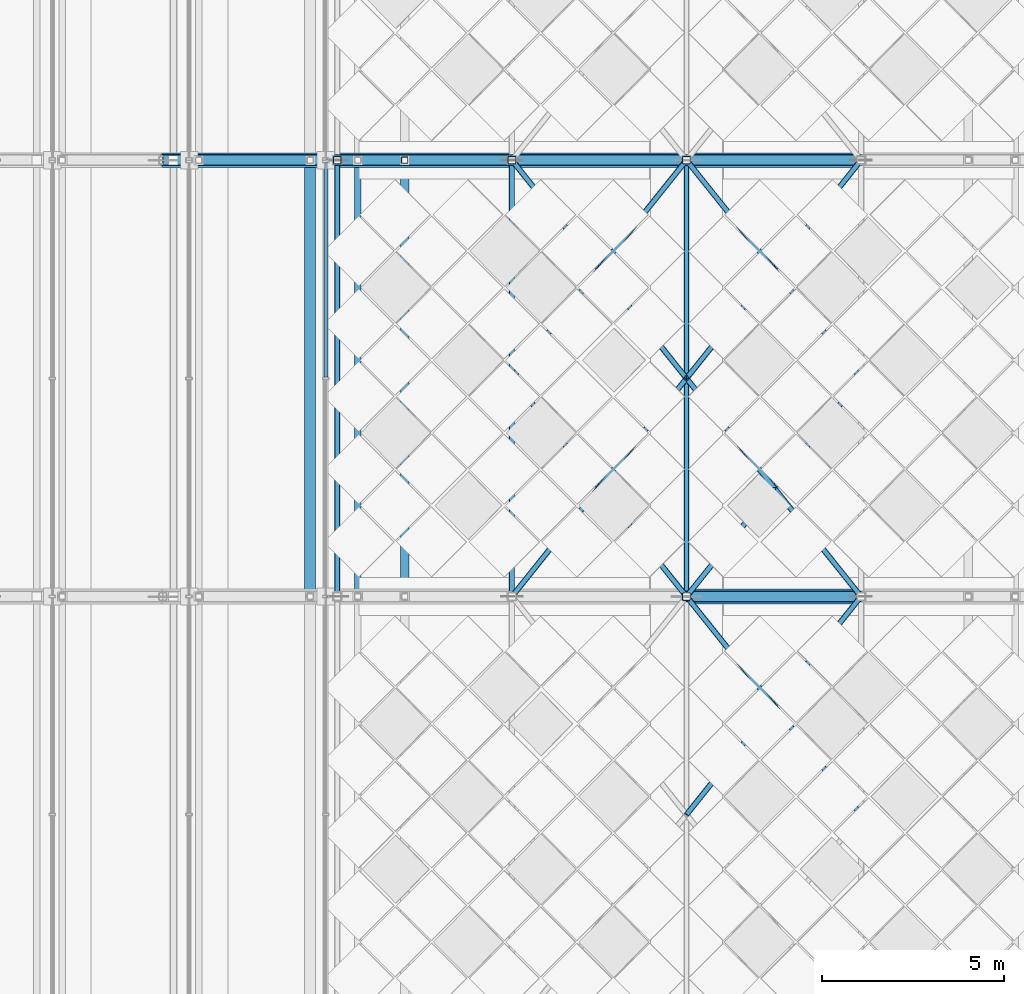
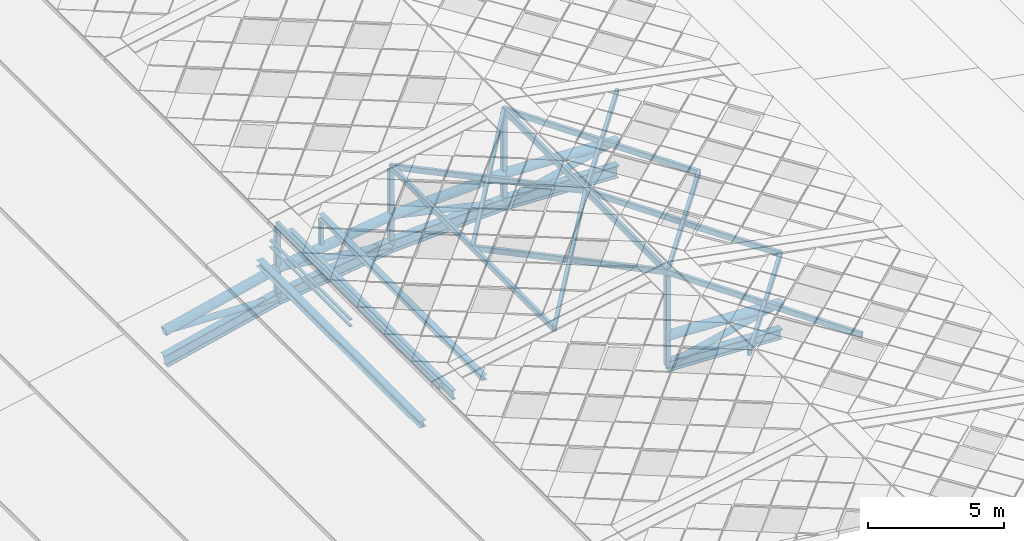
# One storey, part 17 of 117: 38 members, 1 element without a shape of its own.
"""IFC4 building model written with IfcOpenShell, lengths in metres."""

from ifc_helpers import new_model, si_unit, direction, frame, origin, origin_2d, place, context, subcontext, project, spatial, hollow_rectangle, hollow_circle, i_section, extrude, material, material_profile, profile_set, type_object, element, aggregate, save


model = new_model("IFC4")

# Units and contexts
model_context = context("Model", 3, precision=1e-05, world=origin(), true_north=direction((0.0, 1.0)))
body_context = subcontext(model_context, "Body", "Model", "MODEL_VIEW")
ifc_project = project(units=[si_unit("LENGTHUNIT", "METRE"), si_unit("AREAUNIT", "SQUARE_METRE"), si_unit("VOLUMEUNIT", "CUBIC_METRE"), si_unit("PLANEANGLEUNIT", "RADIAN"), si_unit("MASSUNIT", "GRAM", prefix="KILO")], contexts=[model_context])

# Site, building, storey
site_placement = place(None, origin())
site = spatial("IfcSite", under=ifc_project, at=site_placement, CompositionType="ELEMENT")
building_placement = place(site_placement, origin())
building = spatial("IfcBuilding", under=site, at=building_placement, Name="Merenkruunu Market Hall", CompositionType="ELEMENT")
storey_placement = place(building_placement, frame((0.0, 0.0, 22.800048828125)))
storey = spatial("IfcBuildingStorey", under=building, at=storey_placement, Name="RF", CompositionType="ELEMENT", Elevation=22.800048828125)

# Members
ifc_material_1 = material(Name="Steel S355ML", Category="steel")
ifc_material_profile_1 = material_profile(ifc_material_1, hollow_circle(Radius=0.203125, WallThickness=0.01611328125, at=origin_2d()), Name="CHS 406.4x16")
ifc_profile_set_1 = profile_set([ifc_material_profile_1], Name="Steel S355ML")
member_type_1 = type_object("IfcMemberType", Name="Arch Truss Chord TC02", PredefinedType="CHORD", material=ifc_profile_set_1)
member_1_placement = place(storey_placement, frame((28.800048828125, 51.60009765625, -1.446044921875), z_axis=(0.998932934692, 0.0, -0.046184326211), x_axis=(0.0, 1.0, 0.0)))
element("IfcMember", 1, at=member_1_placement, inside=storey, type_object=member_type_1, Name="TRUSS-AT-4-TOP-07", PredefinedType="CHORD", context=body_context, shape_type="SweptSolid", body=[
    extrude(hollow_circle(Radius=0.203125, WallThickness=0.01611328125, at=origin_2d()), origin(), (0.0, 0.0, 1.0), 4.80517578125),
])
member_2_placement = place(storey_placement, frame((14.39990234375, 63.60009765625, -3.47998046875), z_axis=(0.972941974064, 0.0, 0.231049594471), x_axis=(0.0, 1.0, 0.0)))
element("IfcMember", 2, at=member_2_placement, inside=storey, type_object=member_type_1, Name="TRUSS-AT-5-TOP-04", PredefinedType="CHORD", context=body_context, shape_type="SweptSolid", body=[
    extrude(hollow_circle(Radius=0.203125, WallThickness=0.01611328125, at=origin_2d()), origin(), (0.0, 0.0, 1.0), 4.93359375),
])
member_3_placement = place(storey_placement, frame((19.199951171875, 63.60009765625, -2.340087890625), z_axis=(0.990338564897, 0.0, 0.138670569613), x_axis=(0.0, 1.0, 0.0)))
element("IfcMember", 3, at=member_3_placement, inside=storey, type_object=member_type_1, Name="TRUSS-AT-5-TOP-05", PredefinedType="CHORD", context=body_context, shape_type="SweptSolid", body=[
    extrude(hollow_circle(Radius=0.203125, WallThickness=0.01611328125, at=origin_2d()), origin(), (0.0, 0.0, 1.0), 4.846923828125),
])
for number, where, z_axis, x_axis, name in (
    (4, (24.0, 63.60009765625, -1.66796875), (0.998932934692, 0.0, 0.046184326211), (0.0, 1.0, 0.0), "TRUSS-AT-5-TOP-06"),
    (5, (28.800048828125, 63.60009765625, -1.446044921875), (0.998932934692, 0.0, -0.046184326211), (0.0, 1.0, 0.0), "TRUSS-AT-5-TOP-07"),
):
    element("IfcMember", number, at=place(storey_placement, frame(where, z_axis=z_axis, x_axis=x_axis)), inside=storey, type_object=member_type_1, Name=name, PredefinedType="CHORD", context=body_context, shape_type="SweptSolid", body=[
        extrude(hollow_circle(Radius=0.203125, WallThickness=0.01611328125, at=origin_2d()), origin(), (0.0, 0.0, 1.0), 4.80517578125),
    ])
ifc_material_profile_2 = material_profile(ifc_material_1, i_section(OverallWidth=0.300048828125, OverallDepth=0.550048828125, WebThickness=0.014892578125, FlangeThickness=0.029052734375, FilletRadius=0.027099609375, at=origin_2d()), Name="HEB 550")
ifc_profile_set_2 = profile_set([ifc_material_profile_2], Name="Steel S355ML")
member_type_2 = type_object("IfcMemberType", Name="Arch Truss Chord TC03", PredefinedType="CHORD", material=ifc_profile_set_2)
member_4_placement = place(storey_placement, frame((14.39990234375, 63.60009765625, -4.780029296875), z_axis=(0.972941974064, 0.0, 0.231049594471), x_axis=(0.0, 1.0, 0.0)))
element("IfcMember", 6, at=member_4_placement, inside=storey, type_object=member_type_2, Name="TRUSS-AT-5-BOT-04", PredefinedType="CHORD", context=body_context, shape_type="SweptSolid", body=[
    extrude(i_section(OverallWidth=0.300048828125, OverallDepth=0.550048828125, WebThickness=0.014892578125, FlangeThickness=0.029052734375, FilletRadius=0.027099609375, at=origin_2d()), origin(), (0.0, 0.0, 1.0), 4.93359375),
])
member_5_placement = place(storey_placement, frame((19.199951171875, 63.60009765625, -3.64013671875), z_axis=(0.990338564897, 0.0, 0.138670569613), x_axis=(0.0, 1.0, 0.0)))
element("IfcMember", 7, at=member_5_placement, inside=storey, type_object=member_type_2, Name="TRUSS-AT-5-BOT-05", PredefinedType="CHORD", context=body_context, shape_type="SweptSolid", body=[
    extrude(i_section(OverallWidth=0.300048828125, OverallDepth=0.550048828125, WebThickness=0.014892578125, FlangeThickness=0.029052734375, FilletRadius=0.027099609375, at=origin_2d()), origin(), (0.0, 0.0, 1.0), 4.846923828125),
])
for number, where, z_axis, x_axis, name in (
    (8, (24.0, 63.60009765625, -2.968017578125), (0.998932934692, 0.0, 0.046184326211), (0.0, 1.0, 0.0), "TRUSS-AT-5-BOT-06"),
    (9, (28.800048828125, 63.60009765625, -2.74609375), (0.998932934692, 0.0, -0.046184326211), (0.0, 1.0, 0.0), "TRUSS-AT-5-BOT-07"),
):
    element("IfcMember", number, at=place(storey_placement, frame(where, z_axis=z_axis, x_axis=x_axis)), inside=storey, type_object=member_type_2, Name=name, PredefinedType="CHORD", context=body_context, shape_type="SweptSolid", body=[
        extrude(i_section(OverallWidth=0.300048828125, OverallDepth=0.550048828125, WebThickness=0.014892578125, FlangeThickness=0.029052734375, FilletRadius=0.027099609375, at=origin_2d()), origin(), (0.0, 0.0, 1.0), 4.80517578125),
    ])
ifc_material_profile_3 = material_profile(ifc_material_1, i_section(OverallWidth=0.300048828125, OverallDepth=0.449951171875, WebThickness=0.013916015625, FlangeThickness=0.02587890625, FilletRadius=0.027099609375, at=origin_2d()), Name="HEB 450")
ifc_profile_set_3 = profile_set([ifc_material_profile_3], Name="Steel S355ML")
member_type_3 = type_object("IfcMemberType", Name="Arch Truss Chord TC04", PredefinedType="CHORD", material=ifc_profile_set_3)
member_6_placement = place(storey_placement, frame((28.800048828125, 51.60009765625, -2.74609375), z_axis=(0.998932934692, 0.0, -0.046184326211), x_axis=(0.0, 1.0, 0.0)))
element("IfcMember", 10, at=member_6_placement, inside=storey, type_object=member_type_3, Name="TRUSS-AT-4-BOT-07", PredefinedType="CHORD", context=body_context, shape_type="SweptSolid", body=[
    extrude(i_section(OverallWidth=0.300048828125, OverallDepth=0.449951171875, WebThickness=0.013916015625, FlangeThickness=0.02587890625, FilletRadius=0.027099609375, at=origin_2d()), origin(), (0.0, 0.0, 1.0), 4.80517578125),
])

# Curtain wall, members
ifc_material_2 = material(Name="Powder-coated aluminium", Category="aluminium")
curtain_wall_type = type_object("IfcCurtainWallType", Name="Clerestory Curtain Band CL05", PredefinedType="USERDEFINED", material=ifc_material_2)
curtain_wall_placement = place(storey_placement, origin())
curtain_wall = element("IfcCurtainWall", 11, at=curtain_wall_placement, inside=storey, type_object=curtain_wall_type, Name="CW-RF-CWM04-115", ObjectType="CLERESTORY_BAND", PredefinedType="USERDEFINED")
ifc_material_profile_4 = material_profile(ifc_material_2, hollow_rectangle(XDim=0.06005859375, YDim=0.110107421875, WallThickness=0.00390625, at=origin_2d()), Name="ALU 60x110x4")
ifc_profile_set_4 = profile_set([ifc_material_profile_4], Name="Powder-coated aluminium")
member_type_4 = type_object("IfcMemberType", Name="Curtain Wall Transom CWT03", PredefinedType="USERDEFINED", material=ifc_profile_set_4)
member_7_placement = place(storey_placement, frame((18.8798828125, 57.635009765625, -1.212158203125), z_axis=(0.0, 1.0, 0.0), x_axis=(0.0, 0.0, 1.0)))
member_7 = element("IfcMember", 12, at=member_7_placement, type_object=member_type_4, Name="CL05 transom 4.1", ObjectType="TRANSOM", PredefinedType="USERDEFINED", context=body_context, shape_type="SweptSolid", body=[
    extrude(hollow_rectangle(XDim=0.06005859375, YDim=0.110107421875, WallThickness=0.00390625, at=origin_2d()), origin(), (0.0, 0.0, 1.0), 5.89501953125),
])
member_8_placement = place(storey_placement, frame((18.8798828125, 57.635009765625, -0.924072265625), z_axis=(0.0, 1.0, 0.0), x_axis=(0.0, 0.0, 1.0)))
member_8 = element("IfcMember", 13, at=member_8_placement, type_object=member_type_4, Name="CL05 transom 4.2", ObjectType="TRANSOM", PredefinedType="USERDEFINED", context=body_context, shape_type="SweptSolid", body=[
    extrude(hollow_rectangle(XDim=0.06005859375, YDim=0.110107421875, WallThickness=0.00390625, at=origin_2d()), origin(), (0.0, 0.0, 1.0), 5.89501953125),
])
aggregate(curtain_wall, [member_7, member_8])

# Members
ifc_material_profile_5 = material_profile(ifc_material_1, hollow_circle(Radius=0.136474609375, WallThickness=0.012451171875, at=origin_2d()), Name="CHS 273x12.5")
ifc_profile_set_5 = profile_set([ifc_material_profile_5], Name="Steel S355ML")
member_type_5 = type_object("IfcMemberType", Name="Diagonal Sway Brace BR02", PredefinedType="BRACE", material=ifc_profile_set_5)
member_9_placement = place(storey_placement, frame((28.800048828125, 51.60009765625, -2.74609375), z_axis=(0.975691787326, 0.0, 0.219147293262), x_axis=(0.0, 1.0, 0.0)))
element("IfcMember", 14, at=member_9_placement, inside=storey, type_object=member_type_5, Name="TRUSS-AT-4-DIAG-07", PredefinedType="BRACE", context=body_context, shape_type="SweptSolid", body=[
    extrude(hollow_circle(Radius=0.136474609375, WallThickness=0.012451171875, at=origin_2d()), origin(), (0.0, 0.0, 1.0), 4.919677734375),
])
member_10_placement = place(storey_placement, frame((14.39990234375, 63.60009765625, -3.47998046875), z_axis=(0.999443834494, 0.0, -0.033346989239), x_axis=(0.0, 1.0, 0.0)))
element("IfcMember", 15, at=member_10_placement, inside=storey, type_object=member_type_5, Name="TRUSS-AT-5-DIAG-04", PredefinedType="BRACE", context=body_context, shape_type="SweptSolid", body=[
    extrude(hollow_circle(Radius=0.136474609375, WallThickness=0.012451171875, at=origin_2d()), origin(), (0.0, 0.0, 1.0), 4.802734375),
])
member_11_placement = place(storey_placement, frame((19.199951171875, 63.60009765625, -2.340087890625), z_axis=(0.991551689691, 0.0, -0.129712168551), x_axis=(0.0, 1.0, 0.0)))
element("IfcMember", 16, at=member_11_placement, inside=storey, type_object=member_type_5, Name="TRUSS-AT-5-DIAG-05", PredefinedType="BRACE", context=body_context, shape_type="SweptSolid", body=[
    extrude(hollow_circle(Radius=0.136474609375, WallThickness=0.012451171875, at=origin_2d()), origin(), (0.0, 0.0, 1.0), 4.841064453125),
])
for number, where, z_axis, x_axis, name in (
    (17, (24.0, 63.60009765625, -1.66796875), (0.975691787326, 0.0, -0.219147293262), (0.0, 1.0, 0.0), "TRUSS-AT-5-DIAG-06"),
    (18, (28.800048828125, 63.60009765625, -2.74609375), (0.975691787326, 0.0, 0.219147293262), (0.0, 1.0, 0.0), "TRUSS-AT-5-DIAG-07"),
):
    element("IfcMember", number, at=place(storey_placement, frame(where, z_axis=z_axis, x_axis=x_axis)), inside=storey, type_object=member_type_5, Name=name, PredefinedType="BRACE", context=body_context, shape_type="SweptSolid", body=[
        extrude(hollow_circle(Radius=0.136474609375, WallThickness=0.012451171875, at=origin_2d()), origin(), (0.0, 0.0, 1.0), 4.919677734375),
    ])
ifc_material_3 = material(Name="Steel S355J2", Category="steel")
ifc_material_profile_6 = material_profile(ifc_material_3, hollow_rectangle(XDim=0.219970703125, YDim=0.219970703125, WallThickness=0.012451171875, InnerFilletRadius=0.012451171875, OuterFilletRadius=0.02490234375, at=origin_2d()), Name="SHS 220x220x12.5")
ifc_profile_set_6 = profile_set([ifc_material_profile_6], Name="Steel S355J2")
member_type_6 = type_object("IfcMemberType", Name="Diagonal Sway Brace BR04", PredefinedType="BRACE", material=ifc_profile_set_6)
member_12_placement = place(storey_placement, frame((28.800048828125, 51.60009765625, -2.74609375), z_axis=(0.0, 0.0, 1.0), x_axis=(1.0, 0.0, 0.0)))
element("IfcMember", 19, at=member_12_placement, inside=storey, type_object=member_type_6, Name="TRUSS-AT-4-POST-06", PredefinedType="BRACE", context=body_context, shape_type="SweptSolid", body=[
    extrude(hollow_rectangle(XDim=0.219970703125, YDim=0.219970703125, WallThickness=0.012451171875, InnerFilletRadius=0.012451171875, OuterFilletRadius=0.02490234375, at=origin_2d()), origin(), (0.0, 0.0, 1.0), 4.00244140625),
])
member_13_placement = place(storey_placement, frame((19.199951171875, 63.60009765625, -3.64013671875), z_axis=(0.0, 0.0, 1.0), x_axis=(1.0, 0.0, 0.0)))
element("IfcMember", 20, at=member_13_placement, inside=storey, type_object=member_type_6, Name="TRUSS-AT-5-POST-04", PredefinedType="BRACE", context=body_context, shape_type="SweptSolid", body=[
    extrude(hollow_rectangle(XDim=0.219970703125, YDim=0.219970703125, WallThickness=0.012451171875, InnerFilletRadius=0.012451171875, OuterFilletRadius=0.02490234375, at=origin_2d()), origin(), (0.0, 0.0, 1.0), 3.1416015625),
])
member_14_placement = place(storey_placement, frame((24.0, 63.60009765625, -2.968017578125), z_axis=(0.0, 0.0, 1.0), x_axis=(1.0, 0.0, 0.0)))
element("IfcMember", 21, at=member_14_placement, inside=storey, type_object=member_type_6, Name="TRUSS-AT-5-POST-05", PredefinedType="BRACE", context=body_context, shape_type="SweptSolid", body=[
    extrude(hollow_rectangle(XDim=0.219970703125, YDim=0.219970703125, WallThickness=0.012451171875, InnerFilletRadius=0.012451171875, OuterFilletRadius=0.02490234375, at=origin_2d()), origin(), (0.0, 0.0, 1.0), 3.3720703125),
])
member_15_placement = place(storey_placement, frame((28.800048828125, 63.60009765625, -2.74609375), z_axis=(0.0, 0.0, 1.0), x_axis=(1.0, 0.0, 0.0)))
element("IfcMember", 22, at=member_15_placement, inside=storey, type_object=member_type_6, Name="TRUSS-AT-5-POST-06", PredefinedType="BRACE", context=body_context, shape_type="SweptSolid", body=[
    extrude(hollow_rectangle(XDim=0.219970703125, YDim=0.219970703125, WallThickness=0.012451171875, InnerFilletRadius=0.012451171875, OuterFilletRadius=0.02490234375, at=origin_2d()), origin(), (0.0, 0.0, 1.0), 4.00244140625),
])
ifc_material_profile_7 = material_profile(ifc_material_3, hollow_rectangle(XDim=0.179931640625, YDim=0.179931640625, WallThickness=0.010009765625, InnerFilletRadius=0.010009765625, OuterFilletRadius=0.02001953125, at=origin_2d()), Name="SHS 180x180x10")
ifc_profile_set_7 = profile_set([ifc_material_profile_7], Name="Steel S355J2")
member_type_7 = type_object("IfcMemberType", Name="Diagonal Sway Brace BR05", PredefinedType="BRACE", material=ifc_profile_set_7)
member_16_placement = place(storey_placement, frame((21.050048828125, 63.60009765625, -1.889892578125), z_axis=(0.0, 0.0, 1.0), x_axis=(1.0, 0.0, 0.0)))
element("IfcMember", 23, at=member_16_placement, inside=storey, type_object=member_type_7, Name="TRUSS-AT-5-RISER-W6-2", PredefinedType="BRACE", context=body_context, shape_type="SweptSolid", body=[
    extrude(hollow_rectangle(XDim=0.179931640625, YDim=0.179931640625, WallThickness=0.010009765625, InnerFilletRadius=0.010009765625, OuterFilletRadius=0.02001953125, at=origin_2d()), origin(), (0.0, 0.0, 1.0), 1.12841796875),
])
ifc_material_profile_8 = material_profile(ifc_material_1, hollow_rectangle(XDim=0.14990234375, YDim=0.25, WallThickness=0.010009765625, InnerFilletRadius=0.010009765625, OuterFilletRadius=0.02001953125, at=origin_2d()), Name="RHS 250x150x10")
ifc_profile_set_8 = profile_set([ifc_material_profile_8], Name="Steel S355ML")
member_type_8 = type_object("IfcMemberType", Name="Roof Purlin Rafter PR04", PredefinedType="PURLIN", material=ifc_profile_set_8)
for number, where, z_axis, x_axis, name in (
    (24, (33.60009765625, 45.60009765625, 0.546875), (-0.620665210201, 0.775823620665, 0.11345662812), (-0.780865709579, -0.624698922365, 0.0), "MEM-CROWN-DIAG-038"),
    (25, (28.800048828125, 45.60009765625, 1.42431640625), (0.620665210201, 0.775823620665, -0.11345662812), (-0.780865709579, 0.624698922365, 0.0), "MEM-CROWN-DIAG-039"),
):
    element("IfcMember", number, at=place(storey_placement, frame(where, z_axis=z_axis, x_axis=x_axis)), inside=storey, type_object=member_type_8, Name=name, PredefinedType="PURLIN", context=body_context, shape_type="SweptSolid", body=[
        extrude(hollow_rectangle(XDim=0.14990234375, YDim=0.25, WallThickness=0.010009765625, InnerFilletRadius=0.010009765625, OuterFilletRadius=0.02001953125, at=origin_2d()), origin(), (0.0, 0.0, 1.0), 7.733642578125),
    ])
for number, where, z_axis, x_axis, name in (
    (26, (19.199951171875, 51.60009765625, -0.35546875), (0.0, 1.0, 0.0), (-1.0, 0.0, 0.0), "MEM-CROWN-EAVE-041"),
    (27, (24.0, 51.60009765625, 0.546875), (0.0, 1.0, 0.0), (-1.0, 0.0, 0.0), "MEM-CROWN-MID-042"),
):
    element("IfcMember", number, at=place(storey_placement, frame(where, z_axis=z_axis, x_axis=x_axis)), inside=storey, type_object=member_type_8, Name=name, PredefinedType="PURLIN", context=body_context, shape_type="SweptSolid", body=[
        extrude(hollow_rectangle(XDim=0.14990234375, YDim=0.25, WallThickness=0.010009765625, InnerFilletRadius=0.010009765625, OuterFilletRadius=0.02001953125, at=origin_2d()), origin(), (0.0, 0.0, 1.0), 12.0),
    ])
for number, where, z_axis, x_axis, name in (
    (28, (24.0, 51.60009765625, 0.546875), (0.620665210201, 0.775823620665, 0.11345662812), (-0.780865709579, 0.624698922365, 0.0), "MEM-CROWN-DIAG-043"),
    (29, (28.800048828125, 51.60009765625, 1.42431640625), (-0.620665210201, 0.775823620665, -0.11345662812), (-0.780865709579, -0.624698922365, 0.0), "MEM-CROWN-DIAG-044"),
    (30, (24.0, 57.60009765625, 0.546875), (0.620665210201, 0.775823620665, 0.11345662812), (-0.780865709579, 0.624698922365, 0.0), "MEM-CROWN-DIAG-045"),
    (31, (28.800048828125, 57.60009765625, 1.42431640625), (-0.620665210201, 0.775823620665, -0.11345662812), (-0.780865709579, -0.624698922365, 0.0), "MEM-CROWN-DIAG-046"),
    (32, (33.60009765625, 51.60009765625, 0.546875), (-0.620665210201, 0.775823620665, 0.11345662812), (-0.780865709579, -0.624698922365, 0.0), "MEM-CROWN-DIAG-049"),
    (33, (28.800048828125, 51.60009765625, 1.42431640625), (0.620665210201, 0.775823620665, -0.11345662812), (-0.780865709579, 0.624698922365, 0.0), "MEM-CROWN-DIAG-050"),
    (34, (33.60009765625, 57.60009765625, 0.546875), (-0.620665210201, 0.775823620665, 0.11345662812), (-0.780865709579, -0.624698922365, 0.0), "MEM-CROWN-DIAG-051"),
    (35, (28.800048828125, 57.60009765625, 1.42431640625), (0.620665210201, 0.775823620665, -0.11345662812), (-0.780865709579, 0.624698922365, 0.0), "MEM-CROWN-DIAG-052"),
):
    element("IfcMember", number, at=place(storey_placement, frame(where, z_axis=z_axis, x_axis=x_axis)), inside=storey, type_object=member_type_8, Name=name, PredefinedType="PURLIN", context=body_context, shape_type="SweptSolid", body=[
        extrude(hollow_rectangle(XDim=0.14990234375, YDim=0.25, WallThickness=0.010009765625, InnerFilletRadius=0.010009765625, OuterFilletRadius=0.02001953125, at=origin_2d()), origin(), (0.0, 0.0, 1.0), 7.733642578125),
    ])
ifc_material_profile_9 = material_profile(ifc_material_1, hollow_rectangle(XDim=0.14990234375, YDim=0.300048828125, WallThickness=0.012451171875, InnerFilletRadius=0.012451171875, OuterFilletRadius=0.02490234375, at=origin_2d()), Name="RHS 300x150x12.5")
ifc_profile_set_9 = profile_set([ifc_material_profile_9], Name="Steel S355ML")
member_type_9 = type_object("IfcMemberType", Name="Roof Purlin Rafter PR05", PredefinedType="PURLIN", material=ifc_profile_set_9)
member_17_placement = place(storey_placement, frame((28.800048828125, 51.60009765625, 1.42431640625), z_axis=(0.0, 1.0, 0.0), x_axis=(-1.0, 0.0, 0.0)))
element("IfcMember", 36, at=member_17_placement, inside=storey, type_object=member_type_9, Name="MEM-CROWN-RIDGE-040", PredefinedType="PURLIN", context=body_context, shape_type="SweptSolid", body=[
    extrude(hollow_rectangle(XDim=0.14990234375, YDim=0.300048828125, WallThickness=0.012451171875, InnerFilletRadius=0.012451171875, OuterFilletRadius=0.02490234375, at=origin_2d()), origin(), (0.0, 0.0, 1.0), 12.0),
])
ifc_material_profile_10 = material_profile(ifc_material_1, i_section(OverallWidth=0.300048828125, OverallDepth=0.2900390625, WebThickness=0.008544921875, FlangeThickness=0.013916015625, FilletRadius=0.027099609375, at=origin_2d()), Name="HEA 300")
ifc_profile_set_10 = profile_set([ifc_material_profile_10], Name="Steel S355ML")
member_type_10 = type_object("IfcMemberType", Name="Roof Purlin Rafter PR07", PredefinedType="PURLIN", material=ifc_profile_set_10)
member_18_placement = place(storey_placement, frame((18.449951171875, 51.60009765625, -1.789306640625), z_axis=(0.0, 1.0, 0.0), x_axis=(-1.0, 0.0, 0.0)))
element("IfcMember", 37, at=member_18_placement, inside=storey, type_object=member_type_10, Name="MEM-RF-PURL-W-151", PredefinedType="PURLIN", context=body_context, shape_type="SweptSolid", body=[
    extrude(i_section(OverallWidth=0.300048828125, OverallDepth=0.2900390625, WebThickness=0.008544921875, FlangeThickness=0.013916015625, FilletRadius=0.027099609375, at=origin_2d()), origin(), (0.0, 0.0, 1.0), 12.0),
])
ifc_material_profile_11 = material_profile(ifc_material_1, i_section(OverallWidth=0.239990234375, OverallDepth=0.22998046875, WebThickness=0.007568359375, FlangeThickness=0.011962890625, FilletRadius=0.02099609375, at=origin_2d()), Name="HEA 240")
ifc_profile_set_11 = profile_set([ifc_material_profile_11], Name="Steel S355ML")
member_type_11 = type_object("IfcMemberType", Name="Roof Purlin Rafter PR08", PredefinedType="PURLIN", material=ifc_profile_set_11)
member_19_placement = place(storey_placement, frame((21.050048828125, 51.60009765625, -0.62841796875), z_axis=(0.0, 1.0, 0.0), x_axis=(-1.0, 0.0, 0.0)))
element("IfcMember", 38, at=member_19_placement, inside=storey, type_object=member_type_11, Name="MEM-RF-PURL-W-183", PredefinedType="PURLIN", context=body_context, shape_type="SweptSolid", body=[
    extrude(i_section(OverallWidth=0.239990234375, OverallDepth=0.22998046875, WebThickness=0.007568359375, FlangeThickness=0.011962890625, FilletRadius=0.02099609375, at=origin_2d()), origin(), (0.0, 0.0, 1.0), 12.0),
])
ifc_material_profile_12 = material_profile(ifc_material_1, i_section(OverallWidth=0.179931640625, OverallDepth=0.39990234375, WebThickness=0.008544921875, FlangeThickness=0.013427734375, FilletRadius=0.02099609375, at=origin_2d()), Name="IPE 400")
ifc_profile_set_12 = profile_set([ifc_material_profile_12], Name="Steel S355ML")
member_type_12 = type_object("IfcMemberType", Name="Roof Purlin Rafter PR09", PredefinedType="PURLIN", material=ifc_profile_set_12)
member_20_placement = place(storey_placement, frame((19.760009765625, 51.60009765625, -0.947021484375), z_axis=(0.0, 1.0, 0.0), x_axis=(-1.0, 0.0, 0.0)))
element("IfcMember", 39, at=member_20_placement, inside=storey, type_object=member_type_12, Name="MEM-RF-PURL-W-167", PredefinedType="PURLIN", context=body_context, shape_type="SweptSolid", body=[
    extrude(i_section(OverallWidth=0.179931640625, OverallDepth=0.39990234375, WebThickness=0.008544921875, FlangeThickness=0.013427734375, FilletRadius=0.02099609375, at=origin_2d()), origin(), (0.0, 0.0, 1.0), 12.0),
])

save(model, "model.ifc")
